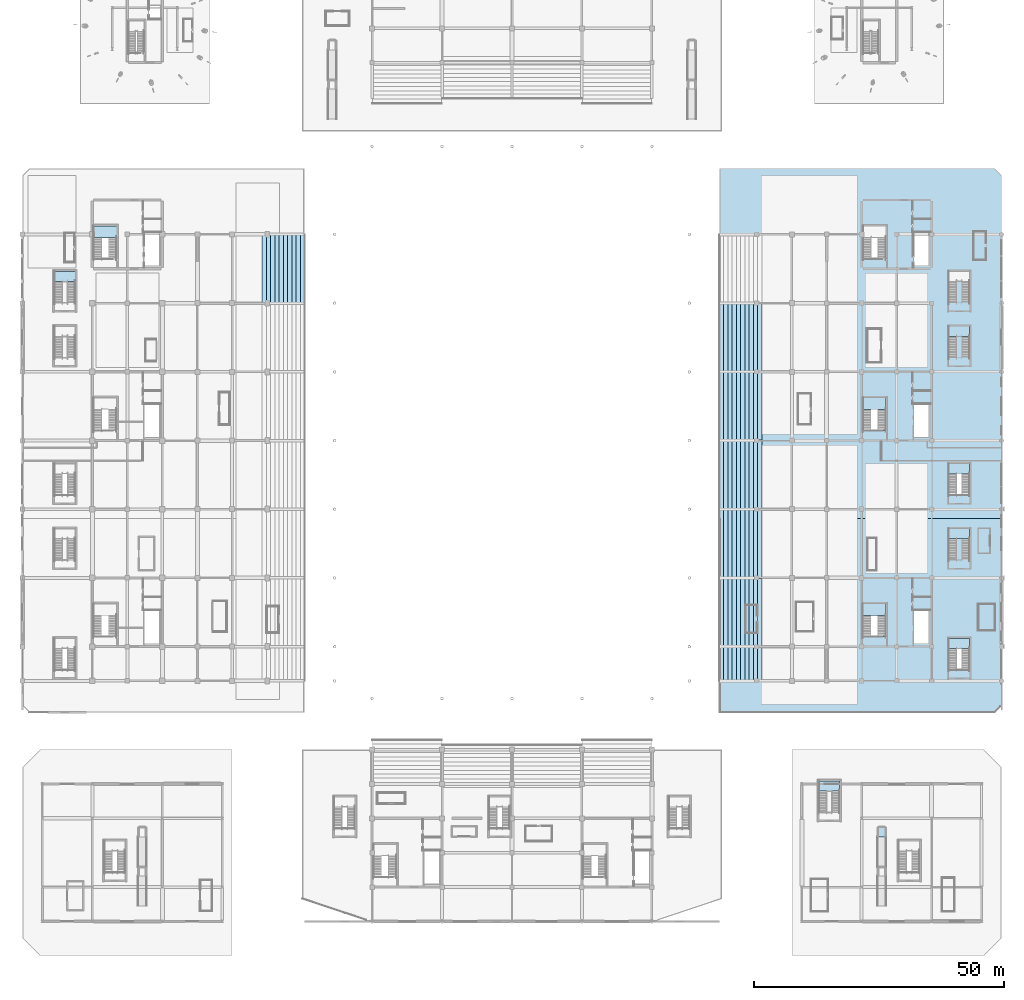
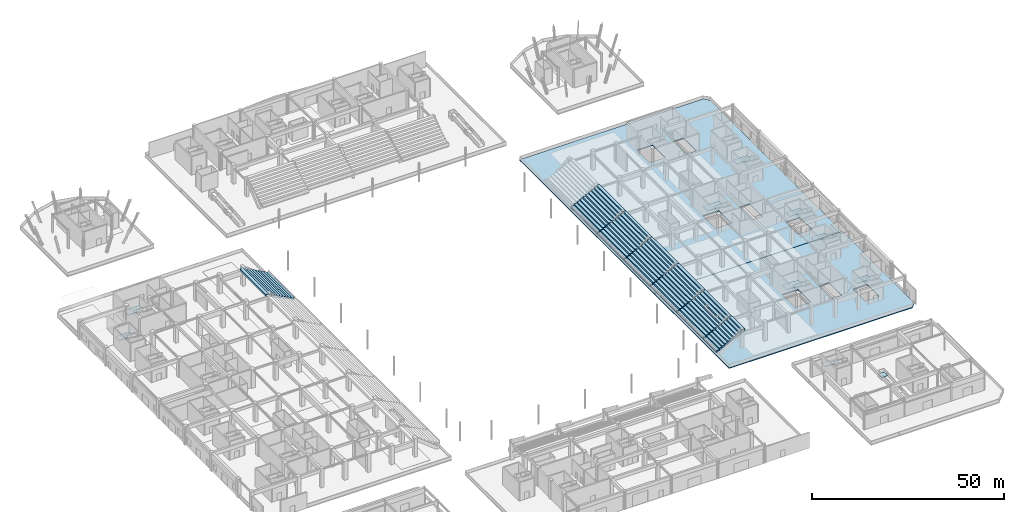
# One storey, part 27 of 73: 19 slabs, 10 elements without a shape of their own.
"""IFC4 building model written with IfcOpenShell, lengths in metres."""

import ifcopenshell
import ifcopenshell.guid

model = None  # the IFC model being written
_history = None  # IfcOwnerHistory: only IFC2X3 demands one
_inside = {}  # id of a spatial element -> (the spatial element, [elements in it])
_under = {}  # id of a project, library or spatial element -> (it, [spatial elements below it])
_declared = {}  # id of a project -> (the project, [libraries it declares])
_typed = {}  # id of a type object -> (the type object, [elements of that type])
_made_of = {}  # id of a material, layer set ... -> (it, [elements and type objects made of it])


def new_model(schema):
    """Start an empty IFC model of exactly this schema.

    Asked for "IFC4X3", IfcOpenShell would pick the latest addendum, in which some entities
    have other attributes; the version numbers below select the first issue.
    IFC2X3 requires an IfcOwnerHistory on every rooted entity: one is made here for all.
    """
    global model, _history
    if schema == "IFC4X3":
        model = ifcopenshell.file(schema_version=(4, 3, 0, 0))
    else:
        model = ifcopenshell.file(schema=schema)
    _inside.clear()
    _under.clear()
    _declared.clear()
    _typed.clear()
    _made_of.clear()
    _history = None
    if model.schema == "IFC2X3":
        org = make("IfcOrganization", Name="unknown")
        user = make(
            "IfcPersonAndOrganization",
            ThePerson=make("IfcPerson", FamilyName="unknown"),
            TheOrganization=org,
        )
        app = make(
            "IfcApplication",
            ApplicationDeveloper=org,
            Version="unknown",
            ApplicationFullName="unknown",
            ApplicationIdentifier="unknown",
        )
        _history = make(
            "IfcOwnerHistory",
            OwningUser=user,
            OwningApplication=app,
            ChangeAction="ADDED",
            CreationDate=0,
        )
    return model


def make(cls, **values):
    """One entity of the class cls with the attributes given. An attribute that is None is left unset."""
    return model.create_entity(
        cls, **{name: value for name, value in values.items() if value is not None}
    )


def rooted(cls, **values):
    """An entity with a GlobalId (a new one), such as an element, a storey or a relation."""
    return make(cls, GlobalId=ifcopenshell.guid.new(), OwnerHistory=_history, **values)


def si_unit(unit_type, name, prefix=None):
    """IfcSIUnit, for example si_unit("LENGTHUNIT", "METRE", prefix="MILLI")."""
    return make("IfcSIUnit", UnitType=unit_type, Prefix=prefix, Name=name)


def assignment(units):
    """IfcUnitAssignment: the units of a project."""
    return None if units is None else make("IfcUnitAssignment", Units=units)


def point(xyz):
    """IfcCartesianPoint."""
    return None if xyz is None else make("IfcCartesianPoint", Coordinates=xyz)


def direction(xyz):
    """IfcDirection."""
    return None if xyz is None else make("IfcDirection", DirectionRatios=xyz)


def frame(location, z_axis=None, x_axis=None):
    """IfcAxis2Placement3D, a coordinate frame: its origin and axes. An axis left out is left unset."""
    return make(
        "IfcAxis2Placement3D",
        Location=point(location),
        Axis=direction(z_axis),
        RefDirection=direction(x_axis),
    )


def origin():
    """The frame at (0, 0, 0) with its axes left unset."""
    return frame((0.0, 0.0, 0.0))


def place(relative_to, where):
    """IfcLocalPlacement: puts the frame where relative to a parent placement (None: the world)."""
    return make(
        "IfcLocalPlacement", PlacementRelTo=relative_to, RelativePlacement=where
    )


def context(
    kind, dimensions, precision=None, world=None, true_north=None, identifier=None
):
    """IfcGeometricRepresentationContext, for example the 3D "Model" context."""
    return make(
        "IfcGeometricRepresentationContext",
        ContextIdentifier=identifier,
        ContextType=kind,
        CoordinateSpaceDimension=dimensions,
        Precision=precision,
        WorldCoordinateSystem=world,
        TrueNorth=true_north,
    )


def subcontext(parent, identifier, kind, view, scale=None):
    """IfcGeometricRepresentationSubContext, for example "Body" below "Model"."""
    return make(
        "IfcGeometricRepresentationSubContext",
        ContextIdentifier=identifier,
        ContextType=kind,
        ParentContext=parent,
        TargetScale=scale,
        TargetView=view,
    )


def project(units=None, contexts=None):
    """IfcProject with its units and contexts."""
    return rooted(
        "IfcProject",
        Name="project",
        RepresentationContexts=contexts,
        UnitsInContext=assignment(units),
    )


def spatial(cls, under=None, at=None, **own):
    """A site, building, storey or space (cls), placed at a placement, below another one or the project."""
    s = rooted(cls, ObjectPlacement=at, **own)
    if under is not None:
        _under.setdefault(under.id(), (under, []))[1].append(s)
    return s


def polyline(points):
    """IfcPolyline through the points."""
    return make("IfcPolyline", Points=[point(p) for p in points])


def outline(outer, holes=None, kind="AREA"):
    """IfcArbitraryClosedProfileDef: a profile drawn as a closed curve; with holes, ...WithVoids."""
    if holes is None:
        return make("IfcArbitraryClosedProfileDef", ProfileType=kind, OuterCurve=outer)
    return make(
        "IfcArbitraryProfileDefWithVoids",
        ProfileType=kind,
        OuterCurve=outer,
        InnerCurves=holes,
    )


def extrude(swept, where, along, depth):
    """IfcExtrudedAreaSolid: the profile swept, set in the frame where, extruded along a direction by depth."""
    return make(
        "IfcExtrudedAreaSolid",
        SweptArea=swept,
        Position=where,
        ExtrudedDirection=direction(along),
        Depth=depth,
    )


def shape(context_of_items, identifier, shape_type, items):
    """IfcShapeRepresentation: the items that make up one representation, for example the "Body"."""
    return make(
        "IfcShapeRepresentation",
        ContextOfItems=context_of_items,
        RepresentationIdentifier=identifier,
        RepresentationType=shape_type,
        Items=items,
    )


def material(Name=None, Category=None):
    """IfcMaterial."""
    return make("IfcMaterial", Name=Name, Category=Category)


def layer(
    of_material, thickness, ventilated=None, Name=None, Category=None, Priority=None
):
    """IfcMaterialLayer: one layer of a wall or slab, of a material (None: an air gap)."""
    return make(
        "IfcMaterialLayer",
        Material=of_material,
        LayerThickness=thickness,
        IsVentilated=ventilated,
        Name=Name,
        Category=Category,
        Priority=Priority,
    )


def layer_set(layers, Name=None):
    """IfcMaterialLayerSet."""
    return make("IfcMaterialLayerSet", MaterialLayers=layers, LayerSetName=Name)


def made_of(thing, what):
    """Note that an element or type object is made of a material, layer set ...; save() writes the relation."""
    if what is not None:
        _made_of.setdefault(what.id(), (what, []))[1].append(thing)
    return thing


def type_object(cls, material=None, **own):
    """A type object (cls), such as IfcWallType, which elements share."""
    return made_of(rooted(cls, **own), material)


def element(
    cls,
    number,
    at=None,
    inside=None,
    cuts=None,
    type_object=None,
    material=None,
    context=None,
    identifier="Body",
    shape_type=None,
    held_by="IfcProductDefinitionShape",
    body=None,
    shapes=None,
    **own,
):
    """One element of the class cls, such as IfcWall. Its Tag is "e" and its number.

    at: its placement. inside: the storey or other place that contains it. cuts: it is an
    opening in that element (IfcRelVoidsElement). A single representation is given by context,
    identifier, shape_type and body (its items); several are given by shapes. held_by: the class
    of the entity that holds the representations. save() writes the other relations.
    """
    e = rooted(cls, Tag="e%d" % number, ObjectPlacement=at, **own)
    if body is not None:
        shapes = [shape(context, identifier, shape_type, body)]
    if shapes is not None:
        e.Representation = make(held_by, Representations=shapes)
    if inside is not None:
        _inside.setdefault(inside.id(), (inside, []))[1].append(e)
    if cuts is not None:
        rooted(
            "IfcRelVoidsElement", RelatingBuildingElement=cuts, RelatedOpeningElement=e
        )
    if type_object is not None:
        _typed.setdefault(type_object.id(), (type_object, []))[1].append(e)
    return made_of(e, material)


def aggregate(whole, parts):
    """IfcRelAggregates: a whole, such as a stair, and the parts it consists of."""
    return rooted("IfcRelAggregates", RelatingObject=whole, RelatedObjects=parts)


def save(model, path):
    """Write the relations noted so far, then the file.

    IfcRelAggregates (storeys below a building ...), IfcRelContainedInSpatialStructure (elements
    in a storey), IfcRelDefinesByType, IfcRelAssociatesMaterial and IfcRelDeclares: one each for
    every whole, place, type object, material and project.
    """
    for whole, parts in _under.values():
        aggregate(whole, parts)
    for where, things in _inside.values():
        rooted(
            "IfcRelContainedInSpatialStructure",
            RelatedElements=things,
            RelatingStructure=where,
        )
    for kind, things in _typed.values():
        rooted("IfcRelDefinesByType", RelatedObjects=things, RelatingType=kind)
    for what, things in _made_of.values():
        rooted("IfcRelAssociatesMaterial", RelatedObjects=things, RelatingMaterial=what)
    for by, libraries in _declared.values():
        rooted("IfcRelDeclares", RelatingContext=by, RelatedDefinitions=libraries)
    model.write(path)


model = new_model("IFC4")

# Units and contexts
model_context = context("Model", 3, precision=1e-05, world=origin(), true_north=direction((0.0, 1.0)))
body_context = subcontext(model_context, "Body", "Model", "MODEL_VIEW")
ifc_project = project(units=[si_unit("LENGTHUNIT", "METRE"), si_unit("AREAUNIT", "SQUARE_METRE"), si_unit("VOLUMEUNIT", "CUBIC_METRE"), si_unit("PLANEANGLEUNIT", "RADIAN"), si_unit("MASSUNIT", "GRAM", prefix="KILO")], contexts=[model_context])

# Site, building, storey
site_placement = place(None, origin())
site = spatial("IfcSite", under=ifc_project, at=site_placement, CompositionType="ELEMENT")
building_placement = place(site_placement, origin())
building = spatial("IfcBuilding", under=site, at=building_placement, Name="Linyun Crest Stadium", CompositionType="ELEMENT")
storey_placement = place(building_placement, origin())
storey = spatial("IfcBuildingStorey", under=building, at=storey_placement, Name="L01", CompositionType="ELEMENT", Elevation=0.0)

# Slabs
ifc_material_1 = material(Name="Concrete C40", Category="concrete")
ifc_layer_1 = layer(ifc_material_1, 0.280029296875)
ifc_layer_set_1 = layer_set([ifc_layer_1], Name="Concrete C40")
slab_type_1 = type_object("IfcSlabType", Name="FS05", PredefinedType="FLOOR", material=ifc_layer_set_1)
slab_1_placement = place(storey_placement, frame((0.0, 0.0, -0.280029296875)))
element("IfcSlab", 1, at=slab_1_placement, inside=storey, type_object=slab_type_1, Name="Slab FS05 V2 L01 18", PredefinedType="FLOOR", context=body_context, shape_type="SweptSolid", body=[
    extrude(outline(polyline([(41.60009765625, -52.3349609375), (96.60009765625, -52.3349609375), (98.0, -50.93505859375), (98.0, -13.510009765625), (41.60009765625, -13.510009765625), (41.60009765625, -52.3349609375)]), holes=[polyline([(70.175048828125, -37.10498046875), (70.175048828125, -30.52490234375), (74.89990234375, -30.52490234375), (74.89990234375, -37.10498046875), (70.175048828125, -37.10498046875)]), polyline([(80.39990234375, -38.47509765625), (80.39990234375, -31.875), (83.39990234375, -31.875), (83.39990234375, -38.47509765625), (80.39990234375, -38.47509765625)]), polyline([(87.39990234375, -43.75), (87.39990234375, -37.5), (91.60009765625, -37.5), (91.60009765625, -43.75), (87.39990234375, -43.75)])]), origin(), (0.0, 0.0, 1.0), 0.280029296875),
])
slab_2_placement = place(storey_placement, frame((0.0, 0.0, -0.280029296875)))
element("IfcSlab", 2, at=slab_2_placement, inside=storey, type_object=slab_type_1, Name="Slab FS05 V2 L01 19", PredefinedType="FLOOR", context=body_context, shape_type="SweptSolid", body=[
    extrude(outline(polyline([(41.60009765625, -13.489990234375), (98.0, -13.489990234375), (98.0, 55.18505859375), (96.60009765625, 56.5849609375), (41.60009765625, 56.5849609375), (41.60009765625, -13.489990234375)]), holes=[polyline([(70.199951171875, 4.14501953125), (70.199951171875, 10.72509765625), (74.89990234375, 10.72509765625), (74.89990234375, 4.14501953125), (70.199951171875, 4.14501953125)]), polyline([(80.39990234375, 2.77490234375), (80.39990234375, 9.375), (83.39990234375, 9.375), (83.39990234375, 2.77490234375), (80.39990234375, 2.77490234375)]), polyline([(70.22509765625, 38.52001953125), (70.22509765625, 45.10009765625), (74.89990234375, 45.10009765625), (74.89990234375, 38.52001953125), (70.22509765625, 38.52001953125)]), polyline([(80.39990234375, 37.14990234375), (80.39990234375, 43.75), (83.39990234375, 43.75), (83.39990234375, 37.14990234375), (80.39990234375, 37.14990234375)]), polyline([(87.39990234375, -8.75), (87.39990234375, -2.5), (91.60009765625, -2.5), (91.60009765625, -8.75), (87.39990234375, -8.75)])]), origin(), (0.0, 0.0, 1.0), 0.280029296875),
])

# Stair, slab
ifc_material_2 = material(Name="Concrete C40", Category="concrete")
stair_type = type_object("IfcStairType", Name="STA01", PredefinedType="HALF_TURN_STAIR", material=ifc_material_2)
stair_1_placement = place(storey_placement, origin())
stair_1 = element("IfcStair", 3, at=stair_1_placement, inside=storey, type_object=stair_type, Name="Evacuation stair STR-03-L01", PredefinedType="HALF_TURN_STAIR")
ifc_material_3 = material(Name="Concrete C40", Category="concrete")
ifc_layer_2 = layer(ifc_material_3, 0.179931640625)
ifc_layer_set_2 = layer_set([ifc_layer_2], Name="Concrete C40")
slab_type_2 = type_object("IfcSlabType", Name="LS01", PredefinedType="LANDING", material=ifc_layer_set_2)
slab_3_placement = place(storey_placement, frame((0.0, 0.0, 2.820068359375)))
slab_3 = element("IfcSlab", 4, at=slab_3_placement, type_object=slab_type_2, Name="STR-03-L01 half-landing", PredefinedType="LANDING", context=body_context, shape_type="SweptSolid", body=[
    extrude(outline(polyline([(-83.77490234375, 42.739990234375), (-79.10009765625, 42.739990234375), (-79.10009765625, 45.10009765625), (-83.77490234375, 45.10009765625), (-83.77490234375, 42.739990234375)])), origin(), (0.0, 0.0, 1.0), 0.179931640625),
])
aggregate(stair_1, [slab_3])

stair_2_placement = place(storey_placement, origin())
stair_2 = element("IfcStair", 5, at=stair_2_placement, inside=storey, type_object=stair_type, Name="Evacuation stair STR-04-L01", PredefinedType="HALF_TURN_STAIR")
slab_4_placement = place(storey_placement, frame((0.0, 0.0, 2.820068359375)))
slab_4 = element("IfcSlab", 6, at=slab_4_placement, type_object=slab_type_2, Name="STR-04-L01 half-landing", PredefinedType="LANDING", context=body_context, shape_type="SweptSolid", body=[
    extrude(outline(polyline([(70.175048828125, -32.885009765625), (74.89990234375, -32.885009765625), (74.89990234375, -30.52490234375), (70.175048828125, -30.52490234375), (70.175048828125, -32.885009765625)])), origin(), (0.0, 0.0, 1.0), 0.179931640625),
])
aggregate(stair_2, [slab_4])

stair_3_placement = place(storey_placement, origin())
stair_3 = element("IfcStair", 7, at=stair_3_placement, inside=storey, type_object=stair_type, Name="Evacuation stair STR-05-L01", PredefinedType="HALF_TURN_STAIR")
slab_5_placement = place(storey_placement, frame((0.0, 0.0, 2.820068359375)))
slab_5 = element("IfcSlab", 8, at=slab_5_placement, type_object=slab_type_2, Name="STR-05-L01 half-landing", PredefinedType="LANDING", context=body_context, shape_type="SweptSolid", body=[
    extrude(outline(polyline([(70.199951171875, 8.364990234375), (74.89990234375, 8.364990234375), (74.89990234375, 10.72509765625), (70.199951171875, 10.72509765625), (70.199951171875, 8.364990234375)])), origin(), (0.0, 0.0, 1.0), 0.179931640625),
])
aggregate(stair_3, [slab_5])

stair_4_placement = place(storey_placement, origin())
stair_4 = element("IfcStair", 9, at=stair_4_placement, inside=storey, type_object=stair_type, Name="Vomitory evacuation stair STR-17-L01", PredefinedType="HALF_TURN_STAIR")
slab_6_placement = place(storey_placement, frame((0.0, 0.0, 2.820068359375)))
slab_6 = element("IfcSlab", 10, at=slab_6_placement, type_object=slab_type_2, Name="STR-17-L01 half-landing", PredefinedType="LANDING", context=body_context, shape_type="SweptSolid", body=[
    extrude(outline(polyline([(-91.60009765625, 33.969970703125), (-87.39990234375, 33.969970703125), (-87.39990234375, 36.0), (-91.60009765625, 36.0), (-91.60009765625, 33.969970703125)])), origin(), (0.0, 0.0, 1.0), 0.179931640625),
])
aggregate(stair_4, [slab_6])

stair_5_placement = place(storey_placement, origin())
stair_5 = element("IfcStair", 11, at=stair_5_placement, inside=storey, type_object=stair_type, Name="Vomitory evacuation stair STR-18-L01", PredefinedType="HALF_TURN_STAIR")
slab_7_placement = place(storey_placement, frame((0.0, 0.0, 2.820068359375)))
slab_7 = element("IfcSlab", 12, at=slab_7_placement, type_object=slab_type_2, Name="STR-18-L01 half-landing", PredefinedType="LANDING", context=body_context, shape_type="SweptSolid", body=[
    extrude(outline(polyline([(87.39990234375, -39.530029296875), (91.60009765625, -39.530029296875), (91.60009765625, -37.5), (87.39990234375, -37.5), (87.39990234375, -39.530029296875)])), origin(), (0.0, 0.0, 1.0), 0.179931640625),
])
aggregate(stair_5, [slab_7])

stair_6_placement = place(storey_placement, origin())
stair_6 = element("IfcStair", 13, at=stair_6_placement, inside=storey, type_object=stair_type, Name="Vomitory evacuation stair STR-19-L01", PredefinedType="HALF_TURN_STAIR")
slab_8_placement = place(storey_placement, frame((0.0, 0.0, 2.820068359375)))
slab_8 = element("IfcSlab", 14, at=slab_8_placement, type_object=slab_type_2, Name="STR-19-L01 half-landing", PredefinedType="LANDING", context=body_context, shape_type="SweptSolid", body=[
    extrude(outline(polyline([(87.39990234375, -17.530029296875), (91.60009765625, -17.530029296875), (91.60009765625, -15.5), (87.39990234375, -15.5), (87.39990234375, -17.530029296875)])), origin(), (0.0, 0.0, 1.0), 0.179931640625),
])
aggregate(stair_6, [slab_8])

stair_7_placement = place(storey_placement, origin())
stair_7 = element("IfcStair", 15, at=stair_7_placement, inside=storey, type_object=stair_type, Name="Vomitory evacuation stair STR-20-L01", PredefinedType="HALF_TURN_STAIR")
slab_9_placement = place(storey_placement, frame((0.0, 0.0, 2.820068359375)))
slab_9 = element("IfcSlab", 16, at=slab_9_placement, type_object=slab_type_2, Name="STR-20-L01 half-landing", PredefinedType="LANDING", context=body_context, shape_type="SweptSolid", body=[
    extrude(outline(polyline([(87.39990234375, -4.530029296875), (91.60009765625, -4.530029296875), (91.60009765625, -2.5), (87.39990234375, -2.5), (87.39990234375, -4.530029296875)])), origin(), (0.0, 0.0, 1.0), 0.179931640625),
])
aggregate(stair_7, [slab_9])

stair_8_placement = place(storey_placement, origin())
stair_8 = element("IfcStair", 17, at=stair_8_placement, inside=storey, type_object=stair_type, Name="Vomitory evacuation stair STR-21-L01", PredefinedType="HALF_TURN_STAIR")
slab_10_placement = place(storey_placement, frame((0.0, 0.0, 2.820068359375)))
slab_10 = element("IfcSlab", 18, at=slab_10_placement, type_object=slab_type_2, Name="STR-21-L01 half-landing", PredefinedType="LANDING", context=body_context, shape_type="SweptSolid", body=[
    extrude(outline(polyline([(87.39990234375, 22.969970703125), (91.60009765625, 22.969970703125), (91.60009765625, 25.0), (87.39990234375, 25.0), (87.39990234375, 22.969970703125)])), origin(), (0.0, 0.0, 1.0), 0.179931640625),
])
aggregate(stair_8, [slab_10])

stair_9_placement = place(storey_placement, origin())
stair_9 = element("IfcStair", 19, at=stair_9_placement, inside=storey, type_object=stair_type, Name="Vomitory evacuation stair STR-32-L01", PredefinedType="HALF_TURN_STAIR")
slab_11_placement = place(storey_placement, frame((0.0, 0.0, 2.820068359375)))
slab_11 = element("IfcSlab", 20, at=slab_11_placement, type_object=slab_type_2, Name="STR-32-L01 half-landing", PredefinedType="LANDING", context=body_context, shape_type="SweptSolid", body=[
    extrude(outline(polyline([(61.39990234375, -68.030029296875), (65.60009765625, -68.030029296875), (65.60009765625, -66.0), (61.39990234375, -66.0), (61.39990234375, -68.030029296875)])), origin(), (0.0, 0.0, 1.0), 0.179931640625),
])
aggregate(stair_9, [slab_11])

# Ramp, slab
ifc_material_4 = material(Name="Concrete C40", Category="concrete")
ramp_type = type_object("IfcRampType", Name="RMP01", PredefinedType="HALF_TURN_RAMP", material=ifc_material_4)
ramp_placement = place(storey_placement, origin())
ramp = element("IfcRamp", 21, at=ramp_placement, inside=storey, type_object=ramp_type, Name="Accessible pedestrian ramp RMP-06", PredefinedType="HALF_TURN_RAMP")
ifc_material_5 = material(Name="Concrete C40", Category="concrete")
ifc_layer_3 = layer(ifc_material_5, 0.199951171875)
ifc_layer_set_3 = layer_set([ifc_layer_3], Name="Concrete C40")
slab_type_3 = type_object("IfcSlabType", Name="LS02", PredefinedType="LANDING", material=ifc_layer_set_3)
slab_12_placement = place(storey_placement, frame((0.0, 0.0, 0.800048828125)))
slab_12 = element("IfcSlab", 22, at=slab_12_placement, type_object=slab_type_3, Name="RMP-06 top-landing", PredefinedType="LANDING", context=body_context, shape_type="SweptSolid", body=[
    extrude(outline(polyline([(73.10009765625, -77.199951171875), (74.89990234375, -77.199951171875), (74.89990234375, -75.199951171875), (73.10009765625, -75.199951171875), (73.10009765625, -77.199951171875)])), origin(), (0.0, 0.0, 1.0), 0.199951171875),
])
aggregate(ramp, [slab_12])

# Slabs
ifc_material_6 = material(Name="Precast concrete C50", Category="concrete")
ifc_layer_4 = layer(ifc_material_6, 0.179931640625)
ifc_layer_set_4 = layer_set([ifc_layer_4], Name="Precast concrete C50")
slab_type_4 = type_object("IfcSlabType", Name="ST01", PredefinedType="USERDEFINED", material=ifc_layer_set_4)
slab_13_placement = place(storey_placement, frame((41.5, -45.919921875, 1.199951171875), z_axis=(0.0, 0.0, 1.0), x_axis=(1.0, 0.0, 0.0)))
element("IfcSlab", 23, at=slab_13_placement, inside=storey, type_object=slab_type_4, Name="Precast seating tier ST01 V2 5", ObjectType="SEATING TIER", PredefinedType="USERDEFINED", context=body_context, shape_type="SweptSolid", body=[
    extrude(outline(polyline([(0.0, 0.0), (0.0, -0.43994140625), (0.85009765625, -0.43994140625), (0.85009765625, -0.8798828125), (1.699951171875, -0.8798828125), (1.699951171875, -1.320068359375), (2.550048828125, -1.320068359375), (2.550048828125, -1.760009765625), (3.39990234375, -1.760009765625), (3.39990234375, -2.199951171875), (4.25, -2.199951171875), (4.25, -2.639892578125), (5.10009765625, -2.639892578125), (5.10009765625, -3.080078125), (5.949951171875, -3.080078125), (5.949951171875, -3.52001953125), (6.800048828125, -3.52001953125), (6.800048828125, -3.9599609375), (7.64990234375, -3.9599609375), (7.64990234375, -4.39990234375), (8.5, -4.39990234375), (8.5, -3.780029296875), (0.0, 0.179931640625), (0.0, 0.0)])), frame((0.0, 0.0, 0.0), z_axis=(0.0, 1.0, 0.0), x_axis=(1.0, 0.0, 0.0)), (0.0, 0.0, 1.0), 6.71484375),
])
for number, where, z_axis, x_axis, name in (
    (24, (41.5, -39.044921875, 1.199951171875), (0.0, 0.0, 1.0), (1.0, 0.0, 0.0), "Precast seating tier ST01 V2 13"),
    (25, (41.5, -25.294921875, 1.199951171875), (0.0, 0.0, 1.0), (1.0, 0.0, 0.0), "Precast seating tier ST01 V2 21"),
    (26, (41.5, -11.544921875, 1.199951171875), (0.0, 0.0, 1.0), (1.0, 0.0, 0.0), "Precast seating tier ST01 V2 29"),
    (27, (41.5, 2.205078125, 1.199951171875), (0.0, 0.0, 1.0), (1.0, 0.0, 0.0), "Precast seating tier ST01 V2 37"),
    (28, (41.5, 15.955078125, 1.199951171875), (0.0, 0.0, 1.0), (1.0, 0.0, 0.0), "Precast seating tier ST01 V2 45"),
):
    element("IfcSlab", number, at=place(storey_placement, frame(where, z_axis=z_axis, x_axis=x_axis)), inside=storey, type_object=slab_type_4, Name=name, ObjectType="SEATING TIER", PredefinedType="USERDEFINED", context=body_context, shape_type="SweptSolid", body=[
        extrude(outline(polyline([(0.0, 0.0), (0.0, -0.43994140625), (0.85009765625, -0.43994140625), (0.85009765625, -0.8798828125), (1.699951171875, -0.8798828125), (1.699951171875, -1.320068359375), (2.550048828125, -1.320068359375), (2.550048828125, -1.760009765625), (3.39990234375, -1.760009765625), (3.39990234375, -2.199951171875), (4.25, -2.199951171875), (4.25, -2.639892578125), (5.10009765625, -2.639892578125), (5.10009765625, -3.080078125), (5.949951171875, -3.080078125), (5.949951171875, -3.52001953125), (6.800048828125, -3.52001953125), (6.800048828125, -3.9599609375), (7.64990234375, -3.9599609375), (7.64990234375, -4.39990234375), (8.5, -4.39990234375), (8.5, -3.780029296875), (0.0, 0.179931640625), (0.0, 0.0)])), frame((0.0, 0.0, 0.0), z_axis=(0.0, 1.0, 0.0), x_axis=(1.0, 0.0, 0.0)), (0.0, 0.0, 1.0), 13.58984375),
    ])
slab_14_placement = place(storey_placement, frame((-41.5, 29.705078125, 1.199951171875), z_axis=(0.0, 0.0, 1.0), x_axis=(-1.0, 0.0, 0.0)))
element("IfcSlab", 29, at=slab_14_placement, inside=storey, type_object=slab_type_4, Name="Precast seating tier ST01 V1 49", ObjectType="SEATING TIER", PredefinedType="USERDEFINED", context=body_context, shape_type="SweptSolid", body=[
    extrude(outline(polyline([(0.0, 0.0), (0.0, 0.43994140625), (0.85009765625, 0.43994140625), (0.85009765625, 0.8798828125), (1.699951171875, 0.8798828125), (1.699951171875, 1.320068359375), (2.550048828125, 1.320068359375), (2.550048828125, 1.760009765625), (3.39990234375, 1.760009765625), (3.39990234375, 2.199951171875), (4.25, 2.199951171875), (4.25, 2.639892578125), (5.10009765625, 2.639892578125), (5.10009765625, 3.080078125), (5.949951171875, 3.080078125), (5.949951171875, 3.52001953125), (6.800048828125, 3.52001953125), (6.800048828125, 3.9599609375), (7.64990234375, 3.9599609375), (7.64990234375, 4.39990234375), (8.5, 4.39990234375), (8.5, 3.780029296875), (0.0, -0.179931640625), (0.0, 0.0)])), frame((0.0, 0.0, 0.0), z_axis=(0.0, -1.0, 0.0), x_axis=(1.0, 0.0, 0.0)), (0.0, 0.0, 1.0), 13.58984375),
])

save(model, "model.ifc")
